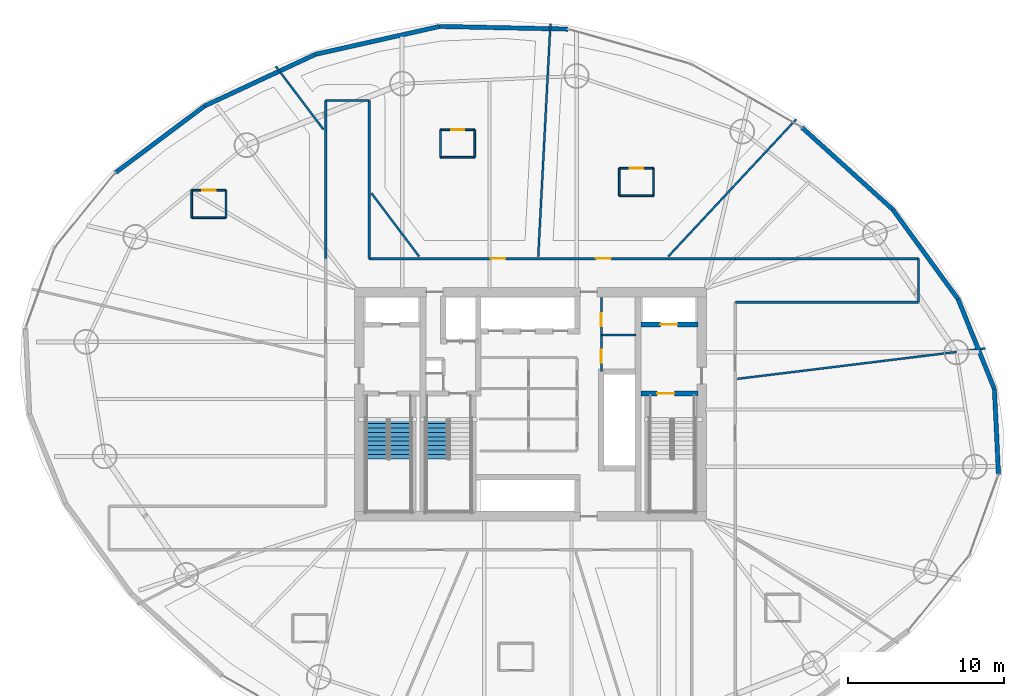
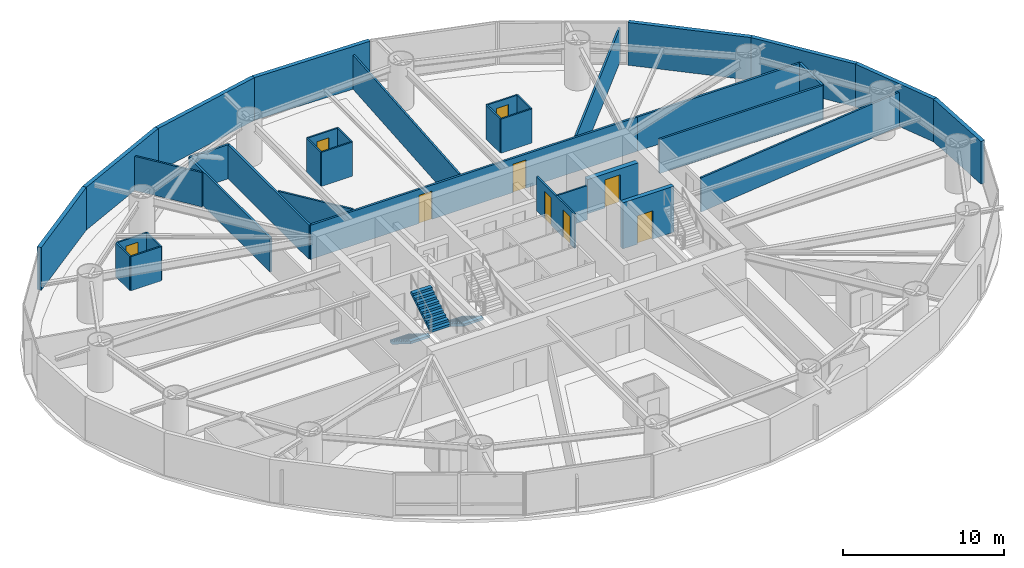
# One storey, part 18 of 23: 36 walls, 9 doors, 3 stair flights, 9 openings, 2 elements without a shape of their own.
"""IFC4 building model written with IfcOpenShell, lengths in metres."""

from ifc_helpers import new_model, si_unit, direction, frame, frame_2d, origin, place, context, subcontext, project, spatial, polyline, rectangle, outline, extrude, material, layer, layer_set, type_object, element, fill, aggregate, save


model = new_model("IFC4")

# Units and contexts
model_context = context("Model", 3, precision=1e-05, world=origin(), true_north=direction((0.0, 1.0)))
body_context = subcontext(model_context, "Body", "Model", "MODEL_VIEW")
ifc_project = project(units=[si_unit("LENGTHUNIT", "METRE"), si_unit("AREAUNIT", "SQUARE_METRE"), si_unit("VOLUMEUNIT", "CUBIC_METRE"), si_unit("PLANEANGLEUNIT", "RADIAN"), si_unit("MASSUNIT", "GRAM", prefix="KILO")], contexts=[model_context])

# Site, building, storey
site_placement = place(None, origin())
site = spatial("IfcSite", under=ifc_project, at=site_placement, CompositionType="ELEMENT")
building_placement = place(site_placement, origin())
building = spatial("IfcBuilding", under=site, at=building_placement, Name="Bramvorn Convention Spire", CompositionType="ELEMENT")
storey_placement = place(building_placement, frame((0.0, 0.0, 69.39990234375)))
storey = spatial("IfcBuildingStorey", under=building, at=storey_placement, Name="L15", CompositionType="ELEMENT", Elevation=69.39990234375)

# Wall, opening, door
ifc_material_1 = material(Name="Concrete C50/60", Category="concrete")
ifc_layer_1 = layer(ifc_material_1, 0.35009765625)
ifc_layer_set_1 = layer_set([ifc_layer_1], Name="Concrete C50/60 - WL-CORE-INT-350")
wall_type_1 = type_object("IfcWallType", Name="WL-CORE-INT-350", PredefinedType="SHEAR", material=ifc_layer_set_1)
wall_1_placement = place(storey_placement, frame((45.080078125, 31.1201171875, 0.0), z_axis=(0.0, 0.0, 1.0), x_axis=(1.0, 0.0, 0.0)))
wall_1 = element("IfcWall", 1, at=wall_1_placement, inside=storey, type_object=wall_type_1, Name="L15 FE2 shaft front wall", PredefinedType="SHEAR", context=body_context, shape_type="SweptSolid", body=[
    extrude(rectangle(XDim=3.669921875, YDim=0.35009765625, at=frame_2d((1.8349609375, 0.0))), origin(), (0.0, 0.0, 1.0), 2.60009765625),
])
opening_1_placement = place(wall_1_placement, frame((1.25, 0.0, 0.0)))
opening_1 = element("IfcOpeningElement", 2, at=opening_1_placement, cuts=wall_1, Name="Opening LD-110", PredefinedType="OPENING", context=body_context, shape_type="SweptSolid", body=[
    extrude(rectangle(XDim=1.10009765625, YDim=2.14990234375, at=frame_2d((0.550048828125, 1.074951171875))), frame((0.0, 0.18505859375, 0.0), z_axis=(0.0, -1.0, 0.0), x_axis=(1.0, 0.0, 0.0)), (0.0, 0.0, 1.0), 0.3701171875),
])
ifc_material_2 = material(Name="Firefighting & Service Lift Sliding Landing Door", Category="steel")
door_type_1 = type_object("IfcDoorType", Name="DR-LIFT-LD-1100", OperationType="NOTDEFINED", PredefinedType="DOOR", material=ifc_material_2)
door_1_placement = place(opening_1_placement, origin())
door_1 = element("IfcDoor", 3, at=door_1_placement, inside=storey, type_object=door_type_1, Name="L15 Lift FE2 Sliding Landing Door", OperationType="SLIDING_TO_LEFT", OverallHeight=2.14990234375, OverallWidth=1.10009765625, PredefinedType="DOOR", context=body_context, shape_type="SweptSolid", body=[
    extrude(rectangle(XDim=1.10009765625, YDim=2.14990234375, at=frame_2d((0.550048828125, 1.074951171875))), frame((0.0, 0.02490234375, 0.0), z_axis=(0.0, -1.0, 0.0), x_axis=(1.0, 0.0, 0.0)), (0.0, 0.0, 1.0), 0.050048828125),
])
fill(opening_1, door_1)

# Walls
ifc_material_3 = material(Name="Precast Concrete C40/50 with Bronze Terracotta Rainscreen", Category="masonry")
ifc_layer_2 = layer(ifc_material_3, 0.300048828125)
ifc_layer_set_2 = layer_set([ifc_layer_2], Name="Precast Concrete C40/50 with Bronze Terracotta Rainscreen - WL-EXT-BRONZE-300")
wall_type_2 = type_object("IfcWallType", Name="WL-EXT-BRONZE-300", PredefinedType="SOLIDWALL", material=ifc_layer_set_2)
wall_2_placement = place(storey_placement, frame((67.77978515625, 26.974609375, 0.0), z_axis=(0.0, 0.0, 1.0), x_axis=(0.047784583266, -0.998857664336, 0.0)))
element("IfcWall", 4, at=wall_2_placement, inside=storey, type_object=wall_type_2, Name="L15 expressed bronze Gothic lancet pier wall 01", PredefinedType="SOLIDWALL", context=body_context, shape_type="SweptSolid", body=[
    extrude(rectangle(XDim=5.49755859375, YDim=0.280029296875, at=frame_2d((2.748779296875, 0.0))), origin(), (0.0, 0.0, 1.0), 3.25),
])
wall_3_placement = place(storey_placement, frame((65.45556640625, 32.7353515625, 0.0), z_axis=(0.0, 0.0, 1.0), x_axis=(0.374153712501, -0.9273667017, 0.0)))
element("IfcWall", 5, at=wall_3_placement, inside=storey, type_object=wall_type_2, Name="L15 expressed bronze Gothic lancet pier wall 02", PredefinedType="SOLIDWALL", context=body_context, shape_type="SweptSolid", body=[
    extrude(rectangle(XDim=6.2119140625, YDim=0.280029296875, at=frame_2d((3.10595703125, 0.0))), origin(), (0.0, 0.0, 1.0), 3.25),
])
wall_4_placement = place(storey_placement, frame((61.248291015625, 38.5078125, 0.0), z_axis=(0.0, 0.0, 1.0), x_axis=(0.589006644753, -0.808128190596, 0.0)))
element("IfcWall", 6, at=wall_4_placement, inside=storey, type_object=wall_type_2, Name="L15 expressed bronze Gothic lancet pier wall 03", PredefinedType="SOLIDWALL", context=body_context, shape_type="SweptSolid", body=[
    extrude(rectangle(XDim=7.14306640625, YDim=0.280029296875, at=frame_2d((3.571533203125, 0.0))), origin(), (0.0, 0.0, 1.0), 3.25),
])
wall_5_placement = place(storey_placement, frame((55.424560546875, 43.763916015625, 0.0), z_axis=(0.0, 0.0, 1.0), x_axis=(0.742358761102, -0.670002589409, 0.0)))
element("IfcWall", 7, at=wall_5_placement, inside=storey, type_object=wall_type_2, Name="L15 expressed bronze Gothic lancet pier wall 04", PredefinedType="SOLIDWALL", context=body_context, shape_type="SweptSolid", body=[
    extrude(rectangle(XDim=7.844970703125, YDim=0.280029296875, at=frame_2d((3.92236328125, 0.0))), origin(), (0.0, 0.0, 1.0), 3.25),
])
wall_6_placement = place(storey_placement, frame((32.167236328125, 50.251708984375, 0.0), z_axis=(0.0, 0.0, 1.0), x_axis=(0.999783120984, -0.020825729179, 0.0)))
element("IfcWall", 8, at=wall_6_placement, inside=storey, type_object=wall_type_2, Name="L15 expressed bronze Gothic lancet pier wall 07", PredefinedType="SOLIDWALL", context=body_context, shape_type="SweptSolid", body=[
    extrude(rectangle(XDim=8.2412109375, YDim=0.280029296875, at=frame_2d((4.12060546875, 0.0))), origin(), (0.0, 0.0, 1.0), 3.25),
])
wall_7_placement = place(storey_placement, frame((24.195556640625, 48.458740234375, 0.0), z_axis=(0.0, 0.0, 1.0), x_axis=(0.975627030245, 0.219435407023, 0.0)))
element("IfcWall", 9, at=wall_7_placement, inside=storey, type_object=wall_type_2, Name="L15 expressed bronze Gothic lancet pier wall 08", PredefinedType="SOLIDWALL", context=body_context, shape_type="SweptSolid", body=[
    extrude(rectangle(XDim=8.1708984375, YDim=0.280029296875, at=frame_2d((4.08544921875, 0.0))), origin(), (0.0, 0.0, 1.0), 3.25),
])
wall_8_placement = place(storey_placement, frame((17.083740234375, 45.1474609375, 0.0), z_axis=(0.0, 0.0, 1.0), x_axis=(0.90655249664, 0.422093083142, 0.0)))
element("IfcWall", 10, at=wall_8_placement, inside=storey, type_object=wall_type_2, Name="L15 expressed bronze Gothic lancet pier wall 09", PredefinedType="SOLIDWALL", context=body_context, shape_type="SweptSolid", body=[
    extrude(rectangle(XDim=7.844970703125, YDim=0.280029296875, at=frame_2d((3.92236328125, 0.0))), origin(), (0.0, 0.0, 1.0), 3.25),
])
wall_9_placement = place(storey_placement, frame((11.365234375, 40.867431640625, 0.0), z_axis=(0.0, 0.0, 1.0), x_axis=(0.800594336171, 0.599206733015, 0.0)))
element("IfcWall", 11, at=wall_9_placement, inside=storey, type_object=wall_type_2, Name="L15 expressed bronze Gothic lancet pier wall 10", PredefinedType="SOLIDWALL", context=body_context, shape_type="SweptSolid", body=[
    extrude(rectangle(XDim=7.142822265625, YDim=0.280029296875, at=frame_2d((3.5712890625, 0.0))), origin(), (0.0, 0.0, 1.0), 3.25),
])
ifc_material_4 = material(Name="Lightweight En-Suite & Wet-Wall Partition", Category="gypsum")
ifc_layer_3 = layer(ifc_material_4, 0.110107421875)
ifc_layer_set_3 = layer_set([ifc_layer_3], Name="Lightweight En-Suite & Wet-Wall Partition - WL-PART-110")
wall_type_3 = type_object("IfcWallType", Name="WL-PART-110", PredefinedType="PARTITIONING", material=ifc_layer_set_3)
for number, where, z_axis, x_axis, name in (
    (12, (42.550048828125, 30.449951171875, 0.0), (0.0, 0.0, 1.0), (1.0, 0.0, 0.0), "L15 KB NE divider"),
    (13, (43.7041015625, 39.38232421875, 0.0), (0.0, 0.0, 1.0), (1.0, 0.0, 0.0), "Hotel Suite 1502 en-suite south wall"),
):
    element("IfcWall", number, at=place(storey_placement, frame(where, z_axis=z_axis, x_axis=x_axis)), inside=storey, type_object=wall_type_3, Name=name, PredefinedType="PARTITIONING", context=body_context, shape_type="SweptSolid", body=[
        extrude(rectangle(XDim=2.199951171875, YDim=0.110107421875, at=frame_2d((1.10009765625, 0.0))), origin(), (0.0, 0.0, 1.0), 2.60009765625),
    ])

# Wall, opening, door
wall_10_placement = place(storey_placement, frame((43.7041015625, 41.142333984375, 0.0), z_axis=(0.0, 0.0, 1.0), x_axis=(1.0, 0.0, 0.0)))
wall_10 = element("IfcWall", 14, at=wall_10_placement, inside=storey, type_object=wall_type_3, Name="Hotel Suite 1502 en-suite north wall", PredefinedType="PARTITIONING", context=body_context, shape_type="SweptSolid", body=[
    extrude(rectangle(XDim=2.199951171875, YDim=0.110107421875, at=frame_2d((1.10009765625, 0.0))), origin(), (0.0, 0.0, 1.0), 2.60009765625),
])
opening_2_placement = place(wall_10_placement, frame((0.679931640625, 0.0, 0.0)))
opening_2 = element("IfcOpeningElement", 15, at=opening_2_placement, cuts=wall_10, Name="Opening DI-085", PredefinedType="OPENING", context=body_context, shape_type="SweptSolid", body=[
    extrude(rectangle(XDim=0.85009765625, YDim=2.10009765625, at=frame_2d((0.425048828125, 1.050048828125))), frame((0.0, 0.06494140625, 0.0), z_axis=(0.0, -1.0, 0.0), x_axis=(1.0, 0.0, 0.0)), (0.0, 0.0, 1.0), 0.130126953125),
])
ifc_material_5 = material(Name="En-Suite & Restroom Privacy Door", Category="wood")
door_type_2 = type_object("IfcDoorType", Name="DR-INT-850", OperationType="NOTDEFINED", PredefinedType="DOOR", material=ifc_material_5)
door_2_placement = place(opening_2_placement, origin())
door_2 = element("IfcDoor", 16, at=door_2_placement, inside=storey, type_object=door_type_2, Name="Hotel Suite 1502 En-Suite Bathroom door", OperationType="SINGLE_SWING_LEFT", OverallHeight=2.10009765625, OverallWidth=0.85009765625, PredefinedType="DOOR", context=body_context, shape_type="SweptSolid", body=[
    extrude(rectangle(XDim=0.85009765625, YDim=2.10009765625, at=frame_2d((0.425048828125, 1.050048828125))), frame((0.0, 0.02490234375, 0.0), z_axis=(0.0, -1.0, 0.0), x_axis=(1.0, 0.0, 0.0)), (0.0, 0.0, 1.0), 0.050048828125),
])
fill(opening_2, door_2)

# Walls
for number, where, z_axis, x_axis, name in (
    (17, (43.7041015625, 39.38232421875, 0.0), (0.0, 0.0, 1.0), (0.0, 1.0, 0.0), "Hotel Suite 1502 en-suite west wall"),
    (18, (45.904052734375, 39.38232421875, 0.0), (0.0, 0.0, 1.0), (0.0, 1.0, 0.0), "Hotel Suite 1502 en-suite east wall"),
):
    element("IfcWall", number, at=place(storey_placement, frame(where, z_axis=z_axis, x_axis=x_axis)), inside=storey, type_object=wall_type_3, Name=name, PredefinedType="PARTITIONING", context=body_context, shape_type="SweptSolid", body=[
        extrude(rectangle(XDim=1.760009765625, YDim=0.110107421875, at=frame_2d((0.8798828125, 0.0))), origin(), (0.0, 0.0, 1.0), 2.60009765625),
    ])
wall_11_placement = place(storey_placement, frame((32.222900390625, 41.858642578125, 0.0), z_axis=(0.0, 0.0, 1.0), x_axis=(1.0, 0.0, 0.0)))
element("IfcWall", 19, at=wall_11_placement, inside=storey, type_object=wall_type_3, Name="Hotel Suite 1503 en-suite south wall", PredefinedType="PARTITIONING", context=body_context, shape_type="SweptSolid", body=[
    extrude(rectangle(XDim=2.199951171875, YDim=0.110107421875, at=frame_2d((1.10009765625, 0.0))), origin(), (0.0, 0.0, 1.0), 2.60009765625),
])

# Wall, opening, door
wall_12_placement = place(storey_placement, frame((32.222900390625, 43.61865234375, 0.0), z_axis=(0.0, 0.0, 1.0), x_axis=(1.0, 0.0, 0.0)))
wall_12 = element("IfcWall", 20, at=wall_12_placement, inside=storey, type_object=wall_type_3, Name="Hotel Suite 1503 en-suite north wall", PredefinedType="PARTITIONING", context=body_context, shape_type="SweptSolid", body=[
    extrude(rectangle(XDim=2.199951171875, YDim=0.110107421875, at=frame_2d((1.10009765625, 0.0))), origin(), (0.0, 0.0, 1.0), 2.60009765625),
])
opening_3_placement = place(wall_12_placement, frame((0.679931640625, 0.0, 0.0)))
opening_3 = element("IfcOpeningElement", 21, at=opening_3_placement, cuts=wall_12, Name="Opening DI-085", PredefinedType="OPENING", context=body_context, shape_type="SweptSolid", body=[
    extrude(rectangle(XDim=0.85009765625, YDim=2.10009765625, at=frame_2d((0.425048828125, 1.050048828125))), frame((0.0, 0.06494140625, 0.0), z_axis=(0.0, -1.0, 0.0), x_axis=(1.0, 0.0, 0.0)), (0.0, 0.0, 1.0), 0.130126953125),
])
door_3_placement = place(opening_3_placement, origin())
door_3 = element("IfcDoor", 22, at=door_3_placement, inside=storey, type_object=door_type_2, Name="Hotel Suite 1503 En-Suite Bathroom door", OperationType="SINGLE_SWING_LEFT", OverallHeight=2.10009765625, OverallWidth=0.85009765625, PredefinedType="DOOR", context=body_context, shape_type="SweptSolid", body=[
    extrude(rectangle(XDim=0.85009765625, YDim=2.10009765625, at=frame_2d((0.425048828125, 1.050048828125))), frame((0.0, 0.02490234375, 0.0), z_axis=(0.0, -1.0, 0.0), x_axis=(1.0, 0.0, 0.0)), (0.0, 0.0, 1.0), 0.050048828125),
])
fill(opening_3, door_3)

# Walls
for number, where, z_axis, x_axis, name in (
    (23, (32.222900390625, 41.858642578125, 0.0), (0.0, 0.0, 1.0), (0.0, 1.0, 0.0), "Hotel Suite 1503 en-suite west wall"),
    (24, (34.4228515625, 41.858642578125, 0.0), (0.0, 0.0, 1.0), (0.0, 1.0, 0.0), "Hotel Suite 1503 en-suite east wall"),
):
    element("IfcWall", number, at=place(storey_placement, frame(where, z_axis=z_axis, x_axis=x_axis)), inside=storey, type_object=wall_type_3, Name=name, PredefinedType="PARTITIONING", context=body_context, shape_type="SweptSolid", body=[
        extrude(rectangle(XDim=1.760009765625, YDim=0.110107421875, at=frame_2d((0.8798828125, 0.0))), origin(), (0.0, 0.0, 1.0), 2.60009765625),
    ])
wall_13_placement = place(storey_placement, frame((16.254150390625, 37.970703125, 0.0), z_axis=(0.0, 0.0, 1.0), x_axis=(1.0, 0.0, 0.0)))
element("IfcWall", 25, at=wall_13_placement, inside=storey, type_object=wall_type_3, Name="Hotel Suite 1504 en-suite south wall", PredefinedType="PARTITIONING", context=body_context, shape_type="SweptSolid", body=[
    extrude(rectangle(XDim=2.199951171875, YDim=0.110107421875, at=frame_2d((1.10009765625, 0.0))), origin(), (0.0, 0.0, 1.0), 2.60009765625),
])

# Wall, opening, door
wall_14_placement = place(storey_placement, frame((16.254150390625, 39.730712890625, 0.0), z_axis=(0.0, 0.0, 1.0), x_axis=(1.0, 0.0, 0.0)))
wall_14 = element("IfcWall", 26, at=wall_14_placement, inside=storey, type_object=wall_type_3, Name="Hotel Suite 1504 en-suite north wall", PredefinedType="PARTITIONING", context=body_context, shape_type="SweptSolid", body=[
    extrude(rectangle(XDim=2.199951171875, YDim=0.110107421875, at=frame_2d((1.10009765625, 0.0))), origin(), (0.0, 0.0, 1.0), 2.60009765625),
])
opening_4_placement = place(wall_14_placement, frame((0.679931640625, 0.0, 0.0)))
opening_4 = element("IfcOpeningElement", 27, at=opening_4_placement, cuts=wall_14, Name="Opening DI-085", PredefinedType="OPENING", context=body_context, shape_type="SweptSolid", body=[
    extrude(rectangle(XDim=0.85009765625, YDim=2.10009765625, at=frame_2d((0.425048828125, 1.050048828125))), frame((0.0, 0.06494140625, 0.0), z_axis=(0.0, -1.0, 0.0), x_axis=(1.0, 0.0, 0.0)), (0.0, 0.0, 1.0), 0.130126953125),
])
door_4_placement = place(opening_4_placement, origin())
door_4 = element("IfcDoor", 28, at=door_4_placement, inside=storey, type_object=door_type_2, Name="Hotel Suite 1504 En-Suite Bathroom door", OperationType="SINGLE_SWING_LEFT", OverallHeight=2.10009765625, OverallWidth=0.85009765625, PredefinedType="DOOR", context=body_context, shape_type="SweptSolid", body=[
    extrude(rectangle(XDim=0.85009765625, YDim=2.10009765625, at=frame_2d((0.425048828125, 1.050048828125))), frame((0.0, 0.02490234375, 0.0), z_axis=(0.0, -1.0, 0.0), x_axis=(1.0, 0.0, 0.0)), (0.0, 0.0, 1.0), 0.050048828125),
])
fill(opening_4, door_4)

# Walls
for number, where, z_axis, x_axis, name in (
    (29, (16.254150390625, 37.970703125, 0.0), (0.0, 0.0, 1.0), (0.0, 1.0, 0.0), "Hotel Suite 1504 en-suite west wall"),
    (30, (18.4541015625, 37.970703125, 0.0), (0.0, 0.0, 1.0), (0.0, 1.0, 0.0), "Hotel Suite 1504 en-suite east wall"),
):
    element("IfcWall", number, at=place(storey_placement, frame(where, z_axis=z_axis, x_axis=x_axis)), inside=storey, type_object=wall_type_3, Name=name, PredefinedType="PARTITIONING", context=body_context, shape_type="SweptSolid", body=[
        extrude(rectangle(XDim=1.760009765625, YDim=0.110107421875, at=frame_2d((0.8798828125, 0.0))), origin(), (0.0, 0.0, 1.0), 2.60009765625),
    ])

# Wall, openings, doors
ifc_material_6 = material(Name="Metal-Stud Demountable Office Partition", Category="gypsum")
ifc_layer_4 = layer(ifc_material_6, 0.1298828125)
ifc_layer_set_4 = layer_set([ifc_layer_4], Name="Metal-Stud Demountable Office Partition - WL-PART-130")
wall_type_4 = type_object("IfcWallType", Name="WL-PART-130", PredefinedType="PARTITIONING", material=ifc_layer_set_4)
wall_15_placement = place(storey_placement, frame((42.550048828125, 28.10009765625, 0.0), z_axis=(0.0, 0.0, 1.0), x_axis=(0.0, 1.0, 0.0)))
wall_15 = element("IfcWall", 31, at=wall_15_placement, inside=storey, type_object=wall_type_4, Name="L15 KB NE split wall", PredefinedType="PARTITIONING", context=body_context, shape_type="SweptSolid", body=[
    extrude(rectangle(XDim=4.75, YDim=0.1298828125, at=frame_2d((2.375, 0.0))), origin(), (0.0, 0.0, 1.0), 2.60009765625),
])
opening_5_placement = place(wall_15_placement, frame((0.550048828125, 0.0, 0.0)))
opening_5 = element("IfcOpeningElement", 32, at=opening_5_placement, cuts=wall_15, Name="Opening DC-085", PredefinedType="OPENING", context=body_context, shape_type="SweptSolid", body=[
    extrude(rectangle(XDim=0.85009765625, YDim=2.10009765625, at=frame_2d((0.425048828125, 1.050048828125))), frame((0.0, 0.074951171875, 0.0), z_axis=(0.0, -1.0, 0.0), x_axis=(1.0, 0.0, 0.0)), (0.0, 0.0, 1.0), 0.14990234375),
])
opening_6_placement = place(wall_15_placement, frame((2.89990234375, 0.0, 0.0)))
opening_6 = element("IfcOpeningElement", 33, at=opening_6_placement, cuts=wall_15, Name="Opening DC-085", PredefinedType="OPENING", context=body_context, shape_type="SweptSolid", body=[
    extrude(rectangle(XDim=0.85009765625, YDim=2.10009765625, at=frame_2d((0.425048828125, 1.050048828125))), frame((0.0, 0.074951171875, 0.0), z_axis=(0.0, -1.0, 0.0), x_axis=(1.0, 0.0, 0.0)), (0.0, 0.0, 1.0), 0.14990234375),
])
ifc_material_7 = material(Name="Fire-Rated Core Washroom & IDF Door", Category="wood")
door_type_3 = type_object("IfcDoorType", Name="DR-CORE-850", OperationType="NOTDEFINED", PredefinedType="DOOR", material=ifc_material_7)
door_5_placement = place(opening_5_placement, origin())
door_5 = element("IfcDoor", 34, at=door_5_placement, inside=storey, type_object=door_type_3, Name="L15 Core Staff WC door", OperationType="SINGLE_SWING_LEFT", OverallHeight=2.10009765625, OverallWidth=0.85009765625, PredefinedType="DOOR", context=body_context, shape_type="SweptSolid", body=[
    extrude(rectangle(XDim=0.85009765625, YDim=2.10009765625, at=frame_2d((0.425048828125, 1.050048828125))), frame((0.0, 0.02490234375, 0.0), z_axis=(0.0, -1.0, 0.0), x_axis=(1.0, 0.0, 0.0)), (0.0, 0.0, 1.0), 0.050048828125),
])
fill(opening_5, door_5)
door_6_placement = place(opening_6_placement, origin())
door_6 = element("IfcDoor", 35, at=door_6_placement, inside=storey, type_object=door_type_3, Name="L15 Core Data Closet door", OperationType="SINGLE_SWING_LEFT", OverallHeight=2.10009765625, OverallWidth=0.85009765625, PredefinedType="DOOR", context=body_context, shape_type="SweptSolid", body=[
    extrude(rectangle(XDim=0.85009765625, YDim=2.10009765625, at=frame_2d((0.425048828125, 1.050048828125))), frame((0.0, 0.02490234375, 0.0), z_axis=(0.0, -1.0, 0.0), x_axis=(1.0, 0.0, 0.0)), (0.0, 0.0, 1.0), 0.050048828125),
])
fill(opening_6, door_6)

# Walls
wall_16_placement = place(storey_placement, frame((51.2900390625, 27.6318359375, 0.0), z_axis=(0.0, 0.0, 1.0), x_axis=(0.992547009995, 0.121862352469, 0.0)))
element("IfcWall", 36, at=wall_16_placement, inside=storey, type_object=wall_type_4, Name="L15 Guestroom demising wall 1", PredefinedType="PARTITIONING", context=body_context, shape_type="SweptSolid", body=[
    extrude(rectangle(XDim=16.033203125, YDim=0.1298828125, at=frame_2d((8.0166015625, 0.0))), origin(), (0.0, 0.0, 1.0), 2.60009765625),
])
wall_17_placement = place(storey_placement, frame((46.849609375, 35.489990234375, 0.0), z_axis=(0.0, 0.0, 1.0), x_axis=(0.681999123192, 0.731352989988, 0.0)))
element("IfcWall", 37, at=wall_17_placement, inside=storey, type_object=wall_type_4, Name="L15 Guestroom demising wall 2", PredefinedType="PARTITIONING", context=body_context, shape_type="SweptSolid", body=[
    extrude(rectangle(XDim=12.05029296875, YDim=0.1298828125, at=frame_2d((6.025146484375, 0.0))), origin(), (0.0, 0.0, 1.0), 2.60009765625),
])
wall_18_placement = place(storey_placement, frame((38.497314453125, 35.489990234375, 0.0), z_axis=(0.0, 0.0, 1.0), x_axis=(0.052328670598, 0.998629916552, 0.0)))
element("IfcWall", 38, at=wall_18_placement, inside=storey, type_object=wall_type_4, Name="L15 Guestroom demising wall 3", PredefinedType="PARTITIONING", context=body_context, shape_type="SweptSolid", body=[
    extrude(rectangle(XDim=14.976318359375, YDim=0.1298828125, at=frame_2d((7.48828125, 0.0))), origin(), (0.0, 0.0, 1.0), 2.60009765625),
])
wall_19_placement = place(storey_placement, frame((30.848876953125, 35.489990234375, 0.0), z_axis=(0.0, 0.0, 1.0), x_axis=(-0.601827595562, 0.798626035902, 0.0)))
element("IfcWall", 39, at=wall_19_placement, inside=storey, type_object=wall_type_4, Name="L15 Guestroom demising wall 4", PredefinedType="PARTITIONING", context=body_context, shape_type="SweptSolid", body=[
    extrude(rectangle(XDim=5.08251953125, YDim=0.1298828125, at=frame_2d((2.541259765625, 0.0))), origin(), (0.0, 0.0, 1.0), 2.60009765625),
])
wall_20_placement = place(storey_placement, frame((24.7099609375, 43.636474609375, 0.0), z_axis=(0.0, 0.0, 1.0), x_axis=(-0.601818300029, 0.798633040733, 0.0)))
element("IfcWall", 40, at=wall_20_placement, inside=storey, type_object=wall_type_4, Name="L15 Guestroom demising wall 4", PredefinedType="PARTITIONING", context=body_context, shape_type="SweptSolid", body=[
    extrude(rectangle(XDim=5.087158203125, YDim=0.1298828125, at=frame_2d((2.54345703125, 0.0))), origin(), (0.0, 0.0, 1.0), 2.60009765625),
])

# Wall, openings, doors
ifc_material_8 = material(Name="Acoustic Metal-Stud Tenant/Corridor Partition", Category="gypsum")
ifc_layer_5 = layer(ifc_material_8, 0.14990234375)
ifc_layer_set_5 = layer_set([ifc_layer_5], Name="Acoustic Metal-Stud Tenant/Corridor Partition - WL-PART-150")
wall_type_5 = type_object("IfcWallType", Name="WL-PART-150", PredefinedType="PARTITIONING", material=ifc_layer_set_5)
wall_21_placement = place(storey_placement, frame((27.64990234375, 35.35009765625, 0.0), z_axis=(0.0, 0.0, 1.0), x_axis=(1.0, 0.0, 0.0)))
wall_21 = element("IfcWall", 41, at=wall_21_placement, inside=storey, type_object=wall_type_5, Name="L15 North ring corridor wall", PredefinedType="PARTITIONING", context=body_context, shape_type="SweptSolid", body=[
    extrude(rectangle(XDim=23.5, YDim=0.14990234375, at=frame_2d((11.75, 0.0))), origin(), (0.0, 0.0, 1.0), 2.60009765625),
])
opening_7_placement = place(wall_21_placement, frame((14.55322265625, 0.0, 0.0)))
opening_7 = element("IfcOpeningElement", 42, at=opening_7_placement, cuts=wall_21, Name="Opening DH-095", PredefinedType="OPENING", context=body_context, shape_type="SweptSolid", body=[
    extrude(rectangle(XDim=0.949951171875, YDim=2.14990234375, at=frame_2d((0.47509765625, 1.074951171875))), frame((0.0, 0.0849609375, 0.0), z_axis=(0.0, -1.0, 0.0), x_axis=(1.0, 0.0, 0.0)), (0.0, 0.0, 1.0), 0.169921875),
])
opening_8_placement = place(wall_21_placement, frame((7.783935546875, 0.0, 0.0)))
opening_8 = element("IfcOpeningElement", 43, at=opening_8_placement, cuts=wall_21, Name="Opening DH-095", PredefinedType="OPENING", context=body_context, shape_type="SweptSolid", body=[
    extrude(rectangle(XDim=0.949951171875, YDim=2.14990234375, at=frame_2d((0.47509765625, 1.074951171875))), frame((0.0, 0.0849609375, 0.0), z_axis=(0.0, -1.0, 0.0), x_axis=(1.0, 0.0, 0.0)), (0.0, 0.0, 1.0), 0.169921875),
])
ifc_material_9 = material(Name="Solid-Core Acoustic Guestroom Entry Door", Category="wood")
door_type_4 = type_object("IfcDoorType", Name="DR-HOTEL-950", OperationType="NOTDEFINED", PredefinedType="DOOR", material=ifc_material_9)
door_7_placement = place(opening_7_placement, origin())
door_7 = element("IfcDoor", 44, at=door_7_placement, inside=storey, type_object=door_type_4, Name="Hotel Suite 1502 entry door", OperationType="SINGLE_SWING_LEFT", OverallHeight=2.14990234375, OverallWidth=0.949951171875, PredefinedType="DOOR", context=body_context, shape_type="SweptSolid", body=[
    extrude(rectangle(XDim=0.949951171875, YDim=2.14990234375, at=frame_2d((0.47509765625, 1.074951171875))), frame((0.0, 0.02490234375, 0.0), z_axis=(0.0, -1.0, 0.0), x_axis=(1.0, 0.0, 0.0)), (0.0, 0.0, 1.0), 0.050048828125),
])
fill(opening_7, door_7)
door_8_placement = place(opening_8_placement, origin())
door_8 = element("IfcDoor", 45, at=door_8_placement, inside=storey, type_object=door_type_4, Name="Hotel Suite 1503 entry door", OperationType="SINGLE_SWING_LEFT", OverallHeight=2.14990234375, OverallWidth=0.949951171875, PredefinedType="DOOR", context=body_context, shape_type="SweptSolid", body=[
    extrude(rectangle(XDim=0.949951171875, YDim=2.14990234375, at=frame_2d((0.47509765625, 1.074951171875))), frame((0.0, 0.02490234375, 0.0), z_axis=(0.0, -1.0, 0.0), x_axis=(1.0, 0.0, 0.0)), (0.0, 0.0, 1.0), 0.050048828125),
])
fill(opening_8, door_8)

# Walls
for number, where, z_axis, x_axis, name in (
    (46, (51.14990234375, 35.35009765625, 0.0), (0.0, 0.0, 1.0), (1.0, 0.0, 0.0), "L15 NE pinwheel wing north wall"),
    (47, (51.14990234375, 32.550048828125, 0.0), (0.0, 0.0, 1.0), (1.0, 0.0, 0.0), "L15 NE pinwheel wing south wall"),
):
    element("IfcWall", number, at=place(storey_placement, frame(where, z_axis=z_axis, x_axis=x_axis)), inside=storey, type_object=wall_type_5, Name=name, PredefinedType="PARTITIONING", context=body_context, shape_type="SweptSolid", body=[
        extrude(rectangle(XDim=11.75927734375, YDim=0.14990234375, at=frame_2d((5.879638671875, 0.0))), origin(), (0.0, 0.0, 1.0), 2.60009765625),
    ])
wall_22_placement = place(storey_placement, frame((62.9091796875, 32.550048828125, 0.0), z_axis=(0.0, 0.0, 1.0), x_axis=(0.0, 1.0, 0.0)))
element("IfcWall", 48, at=wall_22_placement, inside=storey, type_object=wall_type_5, Name="L15 NE pinwheel end wall", PredefinedType="PARTITIONING", context=body_context, shape_type="SweptSolid", body=[
    extrude(rectangle(XDim=2.800048828125, YDim=0.14990234375, at=frame_2d((1.39990234375, 0.0))), origin(), (0.0, 0.0, 1.0), 2.60009765625),
])
for number, where, z_axis, x_axis, name in (
    (49, (24.85009765625, 35.35009765625, 0.0), (0.0, 0.0, 1.0), (0.0, 1.0, 0.0), "L15 NW pinwheel wing west wall"),
    (50, (27.64990234375, 35.35009765625, 0.0), (0.0, 0.0, 1.0), (0.0, 1.0, 0.0), "L15 NW pinwheel wing east wall"),
):
    element("IfcWall", number, at=place(storey_placement, frame(where, z_axis=z_axis, x_axis=x_axis)), inside=storey, type_object=wall_type_5, Name=name, PredefinedType="PARTITIONING", context=body_context, shape_type="SweptSolid", body=[
        extrude(rectangle(XDim=10.14990234375, YDim=0.14990234375, at=frame_2d((5.074951171875, 0.0))), origin(), (0.0, 0.0, 1.0), 2.60009765625),
    ])
wall_23_placement = place(storey_placement, frame((24.85009765625, 45.5, 0.0), z_axis=(0.0, 0.0, 1.0), x_axis=(1.0, 0.0, 0.0)))
element("IfcWall", 51, at=wall_23_placement, inside=storey, type_object=wall_type_5, Name="L15 NW pinwheel end wall", PredefinedType="PARTITIONING", context=body_context, shape_type="SweptSolid", body=[
    extrude(rectangle(XDim=2.7998046875, YDim=0.14990234375, at=frame_2d((1.39990234375, 0.0))), origin(), (0.0, 0.0, 1.0), 2.60009765625),
])

# Wall, opening, door
ifc_layer_6 = layer(ifc_material_1, 0.300048828125)
ifc_layer_set_6 = layer_set([ifc_layer_6], Name="Concrete C50/60 - WL-POD-STAIR-300")
wall_type_6 = type_object("IfcWallType", Name="WL-POD-STAIR-300", PredefinedType="SHEAR", material=ifc_layer_set_6)
wall_24_placement = place(storey_placement, frame((45.080078125, 26.68994140625, 0.0), z_axis=(0.0, 0.0, 1.0), x_axis=(1.0, 0.0, 0.0)))
wall_24 = element("IfcWall", 52, at=wall_24_placement, inside=storey, type_object=wall_type_6, Name="L15 ST2 north fire wall", PredefinedType="SHEAR", context=body_context, shape_type="SweptSolid", body=[
    extrude(rectangle(XDim=3.669921875, YDim=0.300048828125, at=frame_2d((1.8349609375, 0.0))), origin(), (0.0, 0.0, 1.0), 3.5),
])
opening_9_placement = place(wall_24_placement, frame((1.050048828125, 0.0, 0.0)))
opening_9 = element("IfcOpeningElement", 53, at=opening_9_placement, cuts=wall_24, Name="Opening DS-110", PredefinedType="OPENING", context=body_context, shape_type="SweptSolid", body=[
    extrude(rectangle(XDim=1.10009765625, YDim=2.14990234375, at=frame_2d((0.550048828125, 1.074951171875))), frame((0.0, 0.159912109375, 0.0), z_axis=(0.0, -1.0, 0.0), x_axis=(1.0, 0.0, 0.0)), (0.0, 0.0, 1.0), 0.320068359375),
])
ifc_material_10 = material(Name="Fire-Rated Hollow Steel Stairwell Door", Category="steel")
door_type_5 = type_object("IfcDoorType", Name="DR-STAIR-1100", OperationType="NOTDEFINED", PredefinedType="DOOR", material=ifc_material_10)
door_9_placement = place(opening_9_placement, origin())
door_9 = element("IfcDoor", 54, at=door_9_placement, inside=storey, type_object=door_type_5, Name="L15 Stair ST2 fire door", OperationType="SINGLE_SWING_RIGHT", OverallHeight=2.14990234375, OverallWidth=1.10009765625, PredefinedType="DOOR", context=body_context, shape_type="SweptSolid", body=[
    extrude(rectangle(XDim=1.10009765625, YDim=2.14990234375, at=frame_2d((0.550048828125, 1.074951171875))), frame((0.0, 0.02490234375, 0.0), z_axis=(0.0, -1.0, 0.0), x_axis=(1.0, 0.0, 0.0)), (0.0, 0.0, 1.0), 0.050048828125),
])
fill(opening_9, door_9)

# Stair, stair flights
ifc_material_11 = material(Name="Concrete C40/50 Precast Stair", Category="concrete")
stair_type = type_object("IfcStairType", Name="ST-TOWER-1550", PredefinedType="HALF_TURN_STAIR", material=ifc_material_11)
stair_1_placement = place(storey_placement, origin())
stair_1 = element("IfcStair", 55, at=stair_1_placement, inside=storey, type_object=stair_type, Name="L15 Protected Exit Stair ST1", PredefinedType="HALF_TURN_STAIR")
ifc_material_12 = material(Name="Concrete C40/50 Precast Stair Flight", Category="concrete")
stair_flight_type = type_object("IfcStairFlightType", Name="STF-TOWER-1550", PredefinedType="STRAIGHT", material=ifc_material_12)
stair_flight_1_placement = place(storey_placement, frame((28.155029296875, 25.050048828125, 0.0), z_axis=(0.0, 0.0, 1.0), x_axis=(0.0, -1.0, 0.0)))
stair_flight_1 = element("IfcStairFlight", 56, at=stair_flight_1_placement, type_object=stair_flight_type, Name="ST1 flight 1", NumberOfRisers=10, NumberOfTreads=9, PredefinedType="STRAIGHT", RiserHeight=0.175, TreadLength=0.285, context=body_context, shape_type="SweptSolid", body=[
    extrude(outline(polyline([(0.0, 0.0), (0.0, 0.175048828125), (0.284912109375, 0.175048828125), (0.284912109375, 0.35009765625), (0.570068359375, 0.35009765625), (0.570068359375, 0.52490234375), (0.85498046875, 0.52490234375), (0.85498046875, 0.699951171875), (1.139892578125, 0.699951171875), (1.139892578125, 0.875), (1.425048828125, 0.875), (1.425048828125, 1.050048828125), (1.7099609375, 1.050048828125), (1.7099609375, 1.22509765625), (1.9951171875, 1.22509765625), (1.9951171875, 1.39990234375), (2.280029296875, 1.39990234375), (2.280029296875, 1.574951171875), (2.56494140625, 1.574951171875), (2.56494140625, 1.75), (2.56494140625, 1.399169921875), (0.286376953125, 0.0), (0.0, 0.0)])), frame((0.0, 0.705078125, 0.0), z_axis=(0.0, -1.0, 0.0), x_axis=(1.0, 0.0, 0.0)), (0.0, 0.0, 1.0), 1.409912109375),
])
stair_flight_2_placement = place(storey_placement, frame((29.64501953125, 22.485107421875, 1.75), z_axis=(0.0, 0.0, 1.0), x_axis=(0.0, 1.0, 0.0)))
stair_flight_2 = element("IfcStairFlight", 57, at=stair_flight_2_placement, type_object=stair_flight_type, Name="ST1 flight 2", NumberOfRisers=10, NumberOfTreads=9, PredefinedType="STRAIGHT", RiserHeight=0.175, TreadLength=0.285, context=body_context, shape_type="SweptSolid", body=[
    extrude(outline(polyline([(0.0, 0.0), (0.0, 0.175048828125), (0.284912109375, 0.175048828125), (0.284912109375, 0.35009765625), (0.570068359375, 0.35009765625), (0.570068359375, 0.52490234375), (0.85498046875, 0.52490234375), (0.85498046875, 0.699951171875), (1.139892578125, 0.699951171875), (1.139892578125, 0.875), (1.425048828125, 0.875), (1.425048828125, 1.050048828125), (1.7099609375, 1.050048828125), (1.7099609375, 1.22509765625), (1.9951171875, 1.22509765625), (1.9951171875, 1.39990234375), (2.280029296875, 1.39990234375), (2.280029296875, 1.574951171875), (2.56494140625, 1.574951171875), (2.56494140625, 1.75), (2.56494140625, 1.399169921875), (0.286376953125, 0.0), (0.0, 0.0)])), frame((0.0, 0.705078125, 0.0), z_axis=(0.0, -1.0, 0.0), x_axis=(1.0, 0.0, 0.0)), (0.0, 0.0, 1.0), 1.409912109375),
])
aggregate(stair_1, [stair_flight_1, stair_flight_2])

# Stair, stair flight
stair_2_placement = place(storey_placement, origin())
stair_2 = element("IfcStair", 58, at=stair_2_placement, inside=storey, type_object=stair_type, Name="L15 Protected Exit Stair ST3", PredefinedType="HALF_TURN_STAIR")
stair_flight_3_placement = place(storey_placement, frame((32.0048828125, 25.050048828125, 0.0), z_axis=(0.0, 0.0, 1.0), x_axis=(0.0, -1.0, 0.0)))
stair_flight_3 = element("IfcStairFlight", 59, at=stair_flight_3_placement, type_object=stair_flight_type, Name="ST3 flight 1", NumberOfRisers=10, NumberOfTreads=9, PredefinedType="STRAIGHT", RiserHeight=0.175, TreadLength=0.285, context=body_context, shape_type="SweptSolid", body=[
    extrude(outline(polyline([(0.0, 0.0), (0.0, 0.175048828125), (0.284912109375, 0.175048828125), (0.284912109375, 0.35009765625), (0.570068359375, 0.35009765625), (0.570068359375, 0.52490234375), (0.85498046875, 0.52490234375), (0.85498046875, 0.699951171875), (1.139892578125, 0.699951171875), (1.139892578125, 0.875), (1.425048828125, 0.875), (1.425048828125, 1.050048828125), (1.7099609375, 1.050048828125), (1.7099609375, 1.22509765625), (1.9951171875, 1.22509765625), (1.9951171875, 1.39990234375), (2.280029296875, 1.39990234375), (2.280029296875, 1.574951171875), (2.56494140625, 1.574951171875), (2.56494140625, 1.75), (2.56494140625, 1.399169921875), (0.286376953125, 0.0), (0.0, 0.0)])), frame((0.0, 0.705078125, 0.0), z_axis=(0.0, -1.0, 0.0), x_axis=(1.0, 0.0, 0.0)), (0.0, 0.0, 1.0), 1.409912109375),
])
aggregate(stair_2, [stair_flight_3])

save(model, "model.ifc")
